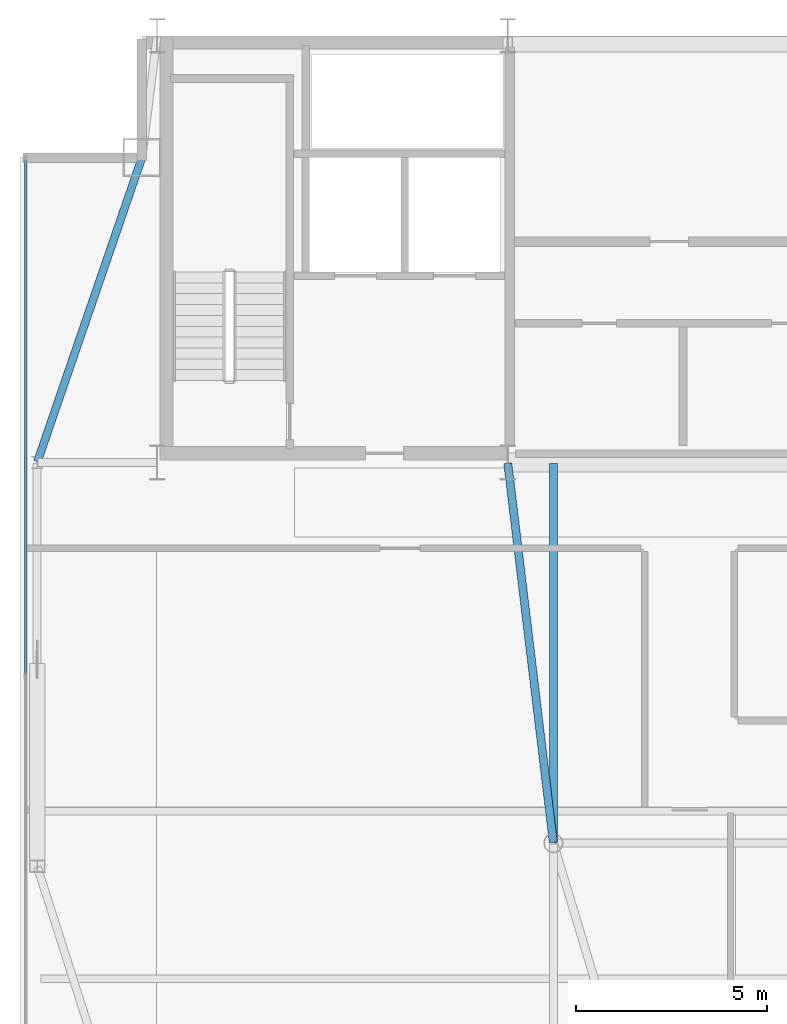
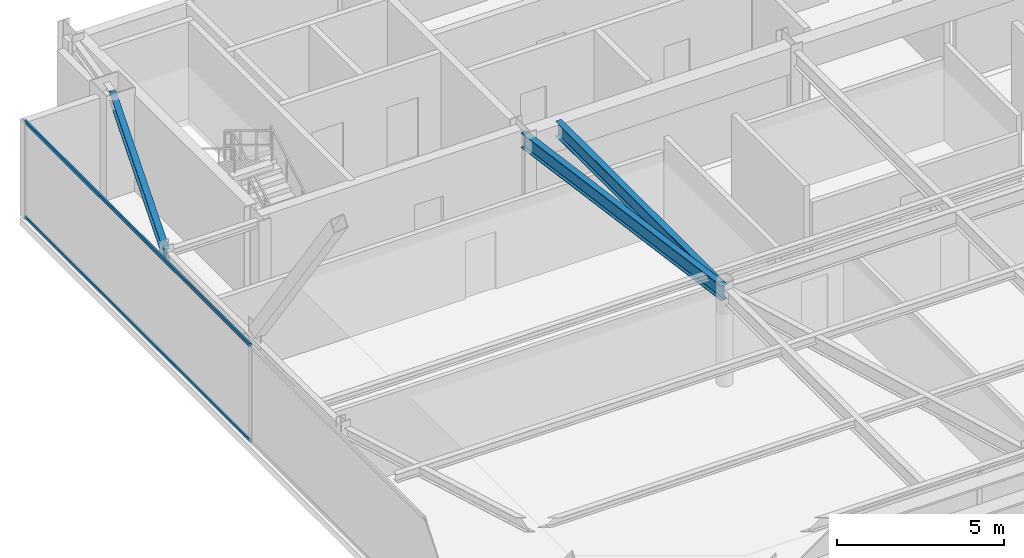
# One storey, part 11 of 24: 3 beams, 2 members, 1 element without a shape of its own.
"""IFC4 building model written with IfcOpenShell, lengths in metres."""

from ifc_helpers import new_model, si_unit, direction, frame, origin, origin_2d, place, context, subcontext, project, spatial, hollow_rectangle, i_section, extrude, source, transform, mapped, material, layer, layer_set, material_profile, profile_set, type_object, type_shapes, element, aggregate, save


model = new_model("IFC4")

# Units and contexts
model_context = context("Model", 3, precision=1e-05, world=origin(), true_north=direction((0.0, 1.0)))
body_context = subcontext(model_context, "Body", "Model", "MODEL_VIEW")
ifc_project = project(units=[si_unit("LENGTHUNIT", "METRE"), si_unit("AREAUNIT", "SQUARE_METRE"), si_unit("VOLUMEUNIT", "CUBIC_METRE"), si_unit("PLANEANGLEUNIT", "RADIAN"), si_unit("MASSUNIT", "GRAM", prefix="KILO")], contexts=[model_context])

# Site, building, storey
site_placement = place(None, origin())
site = spatial("IfcSite", under=ifc_project, at=site_placement, CompositionType="ELEMENT")
building_placement = place(site_placement, origin())
building = spatial("IfcBuilding", under=site, at=building_placement, Name="Varnel Quay Broadcast Tower", CompositionType="ELEMENT")
storey_placement = place(building_placement, frame((0.0, 0.0, 277.39990234375)))
storey = spatial("IfcBuildingStorey", under=building, at=storey_placement, Name="L69", CompositionType="ELEMENT", Elevation=277.39990234375)

# Beams
ifc_material_1 = material(Name="Structural Steel CSA G40.21 350W", Category="steel")
ifc_material_profile_1 = material_profile(ifc_material_1, i_section(OverallWidth=0.205078125, OverallDepth=0.35400390625, WebThickness=0.009521484375, FlangeThickness=0.016845703125, FilletRadius=0.012939453125, at=origin_2d()), Name="W360X79")
ifc_profile_set_1 = profile_set([ifc_material_profile_1], Name="Structural Steel CSA G40.21 350W")
beam_type_1 = type_object("IfcBeamType", Name="Beam_W360X79", PredefinedType="SPANDREL", material=ifc_profile_set_1)
shared_shape_1 = source(origin(), body_context, "Body", "SweptSolid", [
    extrude(i_section(OverallWidth=0.205078125, OverallDepth=0.35400390625, WebThickness=0.009521484375, FlangeThickness=0.016845703125, FilletRadius=0.012939453125, at=origin_2d()), origin(), (0.0, 0.0, 1.0), 8.41943359375),
])
type_shapes(beam_type_1, [shared_shape_1])
beam_1_placement = place(storey_placement, frame((12.45654296875, 35.618896484375, 3.373046875), z_axis=(0.325087062108, 0.945684092099, 0.0), x_axis=(-0.945684092099, 0.325087062108, 0.0)))
element("IfcBeam", 1, at=beam_1_placement, inside=storey, type_object=beam_type_1, Name="L69 West Spandrel TC-W2-MC-NW", PredefinedType="SPANDREL", context=body_context, shape_type="MappedRepresentation", body=[
    mapped(shared_shape_1, transform((0.0, 0.0, 0.0), x_axis=(1.0, 0.0, 0.0), y_axis=(0.0, 1.0, 0.0), z_axis=(0.0, 0.0, 1.0), scale=1.0)),
])
ifc_material_profile_2 = material_profile(ifc_material_1, i_section(OverallWidth=0.2119140625, OverallDepth=0.5439453125, WebThickness=0.01318359375, FlangeThickness=0.021240234375, FilletRadius=0.013916015625, at=origin_2d()), Name="W530X123")
ifc_profile_set_2 = profile_set([ifc_material_profile_2], Name="Structural Steel CSA G40.21 350W")
beam_type_2 = type_object("IfcBeamType", Name="Girder_W530X123", PredefinedType="BEAM", material=ifc_profile_set_2)
shared_shape_2 = source(origin(), body_context, "Body", "SweptSolid", [
    extrude(i_section(OverallWidth=0.2119140625, OverallDepth=0.5439453125, WebThickness=0.01318359375, FlangeThickness=0.021240234375, FilletRadius=0.013916015625, at=origin_2d()), origin(), (0.0, 0.0, 1.0), 10.021728515625),
])
beam_2_placement = place(storey_placement, frame((25.99755859375, 25.6298828125, 3.278076171875), z_axis=(-0.119248005741, 0.992864498875, 0.0), x_axis=(-0.992864498875, -0.119248005741, 0.0)))
element("IfcBeam", 2, at=beam_2_placement, inside=storey, type_object=beam_type_2, Name="L69 Primary Girder IC-01-CC-S2", PredefinedType="BEAM", context=body_context, shape_type="MappedRepresentation", body=[
    mapped(shared_shape_2, transform((0.0, 0.0, 0.0), x_axis=(1.0, 0.0, 0.0), y_axis=(0.0, 1.0, 0.0), z_axis=(0.0, 0.0, 1.0), scale=1.0)),
])
shared_shape_3 = source(origin(), body_context, "Body", "SweptSolid", [
    extrude(i_section(OverallWidth=0.2119140625, OverallDepth=0.5439453125, WebThickness=0.01318359375, FlangeThickness=0.021240234375, FilletRadius=0.013916015625, at=origin_2d()), origin(), (0.0, 0.0, 1.0), 9.9501953125),
])
type_shapes(beam_type_2, [shared_shape_2, shared_shape_3])
beam_3_placement = place(storey_placement, frame((26.0, 25.6298828125, 3.278076171875), z_axis=(0.0, 1.0, 0.0), x_axis=(-1.0, 0.0, 0.0)))
element("IfcBeam", 3, at=beam_3_placement, inside=storey, type_object=beam_type_2, Name="L69 N-S Joist Header IC-01N", PredefinedType="BEAM", context=body_context, shape_type="MappedRepresentation", body=[
    mapped(shared_shape_3, transform((0.0, 0.0, 0.0), x_axis=(1.0, 0.0, 0.0), y_axis=(0.0, 1.0, 0.0), z_axis=(0.0, 0.0, 1.0), scale=1.0)),
])

# Curtain wall, members
ifc_material_2 = material(Name="Anodised Bronze Aluminium 6063-T6", Category="aluminium")
ifc_layer = layer(ifc_material_2, 0.18994140625, Name="Anodised Bronze Aluminium 6063-T6")
ifc_layer_set = layer_set([ifc_layer], Name="Anodised Bronze Aluminium 6063-T6")
curtain_wall_type = type_object("IfcCurtainWallType", Name="CW_UpperTower", PredefinedType="NOTDEFINED", material=ifc_layer_set)
curtain_wall_placement = place(storey_placement, origin())
curtain_wall = element("IfcCurtainWall", 4, at=curtain_wall_placement, inside=storey, type_object=curtain_wall_type, Name="L69 West Unitised Curtain Wall", PredefinedType="NOTDEFINED")
ifc_material_profile_3 = material_profile(ifc_material_2, hollow_rectangle(XDim=0.06005859375, YDim=0.125, WallThickness=0.0029296875, at=origin_2d()), Name="ALU60X125X3")
ifc_profile_set_3 = profile_set([ifc_material_profile_3], Name="Anodised Bronze Aluminium 6063-T6")
member_type = type_object("IfcMemberType", Name="Tran_CWS-03", PredefinedType="USERDEFINED", material=ifc_profile_set_3)
shared_shape_4 = source(origin(), body_context, "Body", "SweptSolid", [
    extrude(hollow_rectangle(XDim=0.06005859375, YDim=0.125, WallThickness=0.0029296875, at=origin_2d()), origin(), (0.0, 0.0, 1.0), 13.50244140625),
])
type_shapes(member_type, [shared_shape_4])
member_1_placement = place(storey_placement, frame((12.14990234375, 30.032470703125, 0.030029296875), z_axis=(0.0, 1.0, 0.0), x_axis=(-1.0, 0.0, 0.0)))
member_1 = element("IfcMember", 5, at=member_1_placement, type_object=member_type, Name="CWS-03 transom 2.1", ObjectType="TRANSOM", PredefinedType="USERDEFINED", context=body_context, shape_type="MappedRepresentation", body=[
    mapped(shared_shape_4, transform((0.0, 0.0, 0.0), x_axis=(1.0, 0.0, 0.0), y_axis=(0.0, 1.0, 0.0), z_axis=(0.0, 0.0, 1.0), scale=1.0)),
])
member_2_placement = place(storey_placement, frame((12.14990234375, 30.032470703125, 3.52001953125), z_axis=(0.0, 1.0, 0.0), x_axis=(-1.0, 0.0, 0.0)))
member_2 = element("IfcMember", 6, at=member_2_placement, type_object=member_type, Name="CWS-03 transom 2.2", ObjectType="TRANSOM", PredefinedType="USERDEFINED", context=body_context, shape_type="MappedRepresentation", body=[
    mapped(shared_shape_4, transform((0.0, 0.0, 0.0), x_axis=(1.0, 0.0, 0.0), y_axis=(0.0, 1.0, 0.0), z_axis=(0.0, 0.0, 1.0), scale=1.0)),
])
aggregate(curtain_wall, [member_1, member_2])

save(model, "model.ifc")
